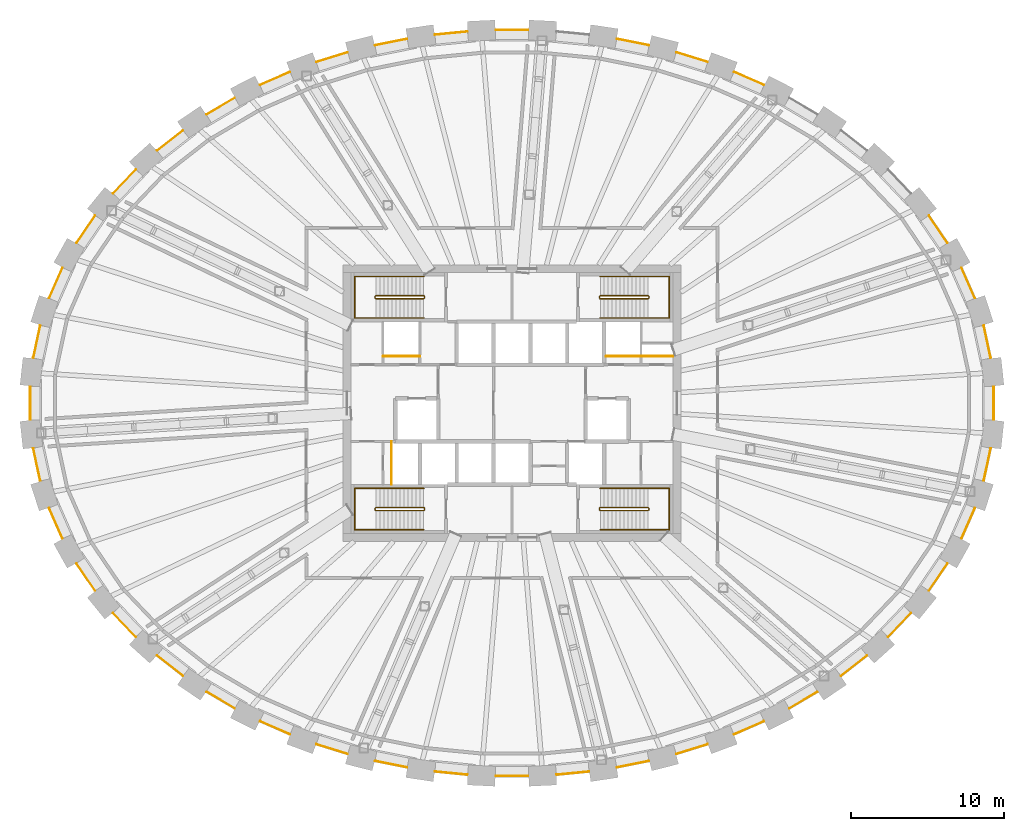
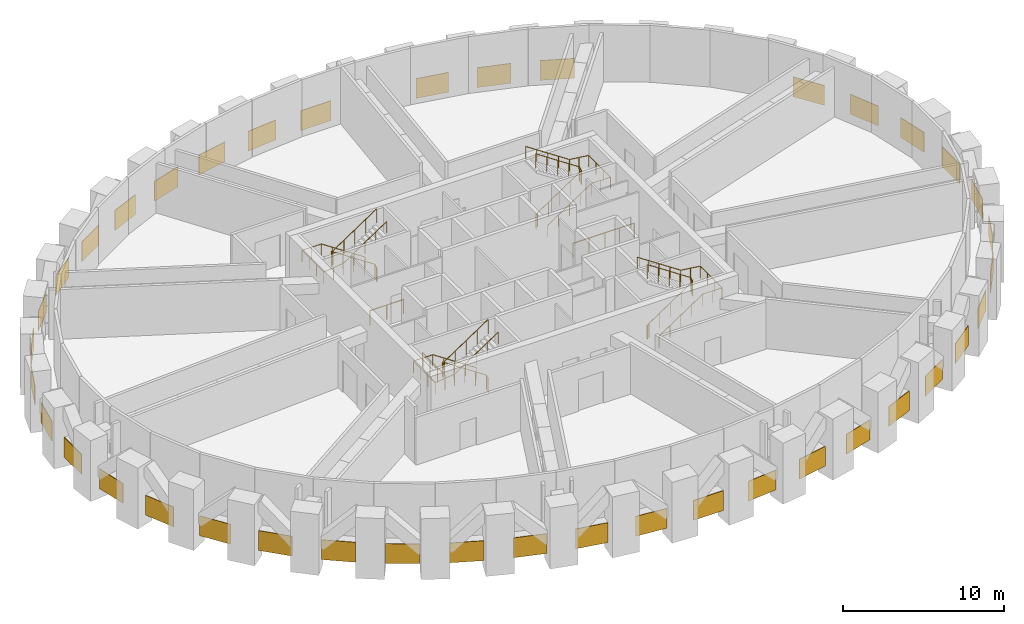
# One storey, part 11 of 12: 40 coverings, 12 railings.
"""IFC4 building model written with IfcOpenShell, lengths in metres."""

from ifc_helpers import new_model, si_unit, direction, frame, origin, origin_2d, place, context, subcontext, project, spatial, rectangle, circle, extrude, source, transform, mapped, material, layer, layer_set, type_object, element, save


model = new_model("IFC4")

# Units and contexts
model_context = context("Model", 3, precision=1e-05, world=origin(), true_north=direction((0.0, 1.0)))
body_context = subcontext(model_context, "Body", "Model", "MODEL_VIEW")
ifc_project = project(units=[si_unit("LENGTHUNIT", "METRE"), si_unit("AREAUNIT", "SQUARE_METRE"), si_unit("VOLUMEUNIT", "CUBIC_METRE"), si_unit("PLANEANGLEUNIT", "RADIAN"), si_unit("MASSUNIT", "GRAM", prefix="KILO")], contexts=[model_context])

# Site, building, storey
site_placement = place(None, origin())
site = spatial("IfcSite", under=ifc_project, at=site_placement, CompositionType="ELEMENT")
building_placement = place(site_placement, origin())
building = spatial("IfcBuilding", under=site, at=building_placement, Name="Embergate Tower", CompositionType="ELEMENT")
storey_placement = place(building_placement, frame((0.0, 0.0, 289.0)))
storey = spatial("IfcBuildingStorey", under=building, at=storey_placement, Name="L67", CompositionType="ELEMENT", Elevation=289.0)

# Coverings
ifc_material_1 = material(Name="Terracotta rainscreen on insulated backing", Category="masonry")
ifc_layer = layer(ifc_material_1, 0.0400390625)
ifc_layer_set = layer_set([ifc_layer], Name="Terracotta rainscreen on insulated backing")
covering_type = type_object("IfcCoveringType", Name="Terracotta rainscreen band", PredefinedType="CLADDING", material=ifc_layer_set)
shared_shape_1 = source(origin(), body_context, "Body", "SweptSolid", [
    extrude(rectangle(XDim=2.166748046875, YDim=0.0400390625, at=origin_2d()), origin(), (0.0, 0.0, 1.0), 1.5),
])
for number, where, z_axis, x_axis, name in (
    (1, (29.721435546875, 7.82958984375, -0.75), (0.0, 0.0, 1.0), (-0.401981337173, 0.915647860569, 0.0), "Rainscreen band 2"),
    (2, (-29.721435546875, 7.82958984375, -0.75), (0.0, 0.0, 1.0), (-0.401981337173, -0.915647860569, 0.0), "Rainscreen band 20"),
    (3, (-29.721435546875, -7.82958984375, -0.75), (0.0, 0.0, 1.0), (0.401981337173, -0.915647860569, 0.0), "Rainscreen band 24"),
    (4, (29.721435546875, -7.82958984375, -0.75), (0.0, 0.0, 1.0), (0.401981337173, 0.915647860569, 0.0), "Rainscreen band 42"),
):
    element("IfcCovering", number, at=place(storey_placement, frame(where, z_axis=z_axis, x_axis=x_axis)), inside=storey, type_object=covering_type, Name=name, PredefinedType="CLADDING", context=body_context, shape_type="MappedRepresentation", body=[
        mapped(shared_shape_1, transform((0.0, 0.0, 0.0))),
    ])
shared_shape_2 = source(origin(), body_context, "Body", "SweptSolid", [
    extrude(rectangle(XDim=2.157958984375, YDim=0.0400390625, at=origin_2d()), origin(), (0.0, 0.0, 1.0), 1.5),
])
for number, where, z_axis, x_axis, name in (
    (5, (27.7626953125, 11.3310546875, -0.75), (0.0, 0.0, 1.0), (-0.56258850772, 0.826737062784, 0.0), "Rainscreen band 3"),
    (6, (-27.7626953125, 11.3310546875, -0.75), (0.0, 0.0, 1.0), (-0.56258850772, -0.826737062784, 0.0), "Rainscreen band 19"),
    (7, (-27.7626953125, -11.3310546875, -0.75), (0.0, 0.0, 1.0), (0.56258850772, -0.826737062784, 0.0), "Rainscreen band 25"),
    (8, (27.7626953125, -11.3310546875, -0.75), (0.0, 0.0, 1.0), (0.56258850772, 0.826737062784, 0.0), "Rainscreen band 41"),
):
    element("IfcCovering", number, at=place(storey_placement, frame(where, z_axis=z_axis, x_axis=x_axis)), inside=storey, type_object=covering_type, Name=name, PredefinedType="CLADDING", context=body_context, shape_type="MappedRepresentation", body=[
        mapped(shared_shape_2, transform((0.0, 0.0, 0.0))),
    ])
shared_shape_3 = source(origin(), body_context, "Body", "SweptSolid", [
    extrude(rectangle(XDim=2.17041015625, YDim=0.0400390625, at=origin_2d()), origin(), (0.0, 0.0, 1.0), 1.5),
])
for number, where, z_axis, x_axis, name in (
    (9, (30.958984375, 4.003173828125, -0.75), (0.0, 0.0, 1.0), (-0.210094666511, 0.977681047737, 0.0), "Rainscreen band 1"),
    (10, (-30.958984375, 4.003173828125, -0.75), (0.0, 0.0, 1.0), (-0.210094666511, -0.977681047737, 0.0), "Rainscreen band 21"),
    (11, (-30.958984375, -4.003173828125, -0.75), (0.0, 0.0, 1.0), (0.210094666511, -0.977681047737, 0.0), "Rainscreen band 23"),
    (12, (30.958984375, -4.003173828125, -0.75), (0.0, 0.0, 1.0), (0.210094666511, 0.977681047737, 0.0), "Rainscreen band 43"),
):
    element("IfcCovering", number, at=place(storey_placement, frame(where, z_axis=z_axis, x_axis=x_axis)), inside=storey, type_object=covering_type, Name=name, PredefinedType="CLADDING", context=body_context, shape_type="MappedRepresentation", body=[
        mapped(shared_shape_3, transform((0.0, 0.0, 0.0))),
    ])
shared_shape_4 = source(origin(), body_context, "Body", "SweptSolid", [
    extrude(rectangle(XDim=2.153076171875, YDim=0.0400390625, at=origin_2d()), origin(), (0.0, 0.0, 1.0), 1.5),
])
for number, where, z_axis, x_axis, name in (
    (13, (-25.24853515625, 14.44384765625, -0.75), (0.0, 0.0, 1.0), (-0.690188094231, -0.723630012217, 0.0), "Rainscreen band 18"),
    (14, (-25.24853515625, -14.44384765625, -0.75), (0.0, 0.0, 1.0), (0.690188094231, -0.723630012217, 0.0), "Rainscreen band 26"),
    (15, (25.24853515625, -14.44384765625, -0.75), (0.0, 0.0, 1.0), (0.690188094231, 0.723630012217, 0.0), "Rainscreen band 40"),
):
    element("IfcCovering", number, at=place(storey_placement, frame(where, z_axis=z_axis, x_axis=x_axis)), inside=storey, type_object=covering_type, Name=name, PredefinedType="CLADDING", context=body_context, shape_type="MappedRepresentation", body=[
        mapped(shared_shape_4, transform((0.0, 0.0, 0.0))),
    ])
shared_shape_5 = source(origin(), body_context, "Body", "SweptSolid", [
    extrude(rectangle(XDim=2.145263671875, YDim=0.0400390625, at=origin_2d()), origin(), (0.0, 0.0, 1.0), 1.5),
])
for number, where, z_axis, x_axis, name in (
    (16, (-22.27734375, 17.107177734375, -0.75), (0.0, 0.0, 1.0), (-0.788271793999, -0.615327212778, 0.0), "Rainscreen band 17"),
    (17, (-22.27734375, -17.107177734375, -0.75), (0.0, 0.0, 1.0), (0.788271793999, -0.615327212778, 0.0), "Rainscreen band 27"),
    (18, (22.27734375, -17.107177734375, -0.75), (0.0, 0.0, 1.0), (0.788271793999, 0.615327212778, 0.0), "Rainscreen band 39"),
):
    element("IfcCovering", number, at=place(storey_placement, frame(where, z_axis=z_axis, x_axis=x_axis)), inside=storey, type_object=covering_type, Name=name, PredefinedType="CLADDING", context=body_context, shape_type="MappedRepresentation", body=[
        mapped(shared_shape_5, transform((0.0, 0.0, 0.0))),
    ])
shared_shape_6 = source(origin(), body_context, "Body", "SweptSolid", [
    extrude(rectangle(XDim=2.142578125, YDim=0.0400390625, at=origin_2d()), origin(), (0.0, 0.0, 1.0), 1.5),
])
for number, where, z_axis, x_axis, name in (
    (19, (-18.984619140625, 19.345703125, -0.75), (0.0, 0.0, 1.0), (-0.862030168259, -0.50685697096, 0.0), "Rainscreen band 16"),
    (20, (-18.984619140625, -19.345703125, -0.75), (0.0, 0.0, 1.0), (0.862030168259, -0.50685697096, 0.0), "Rainscreen band 28"),
    (21, (18.984619140625, -19.345703125, -0.75), (0.0, 0.0, 1.0), (0.862030168259, 0.50685697096, 0.0), "Rainscreen band 38"),
):
    element("IfcCovering", number, at=place(storey_placement, frame(where, z_axis=z_axis, x_axis=x_axis)), inside=storey, type_object=covering_type, Name=name, PredefinedType="CLADDING", context=body_context, shape_type="MappedRepresentation", body=[
        mapped(shared_shape_6, transform((0.0, 0.0, 0.0))),
    ])
shared_shape_7 = source(origin(), body_context, "Body", "SweptSolid", [
    extrude(rectangle(XDim=2.13916015625, YDim=0.0400390625, at=origin_2d()), origin(), (0.0, 0.0, 1.0), 1.5),
])
for number, where, z_axis, x_axis, name in (
    (22, (15.444091796875, 21.152587890625, -0.75), (0.0, 0.0, 1.0), (-0.916243204062, 0.400622504372, 0.0), "Rainscreen band 7"),
    (23, (-15.444091796875, 21.152587890625, -0.75), (0.0, 0.0, 1.0), (-0.916243204062, -0.400622504372, 0.0), "Rainscreen band 15"),
    (24, (-15.444091796875, -21.152587890625, -0.75), (0.0, 0.0, 1.0), (0.916243204062, -0.400622504372, 0.0), "Rainscreen band 29"),
    (25, (15.444091796875, -21.152587890625, -0.75), (0.0, 0.0, 1.0), (0.916243204062, 0.400622504372, 0.0), "Rainscreen band 37"),
):
    element("IfcCovering", number, at=place(storey_placement, frame(where, z_axis=z_axis, x_axis=x_axis)), inside=storey, type_object=covering_type, Name=name, PredefinedType="CLADDING", context=body_context, shape_type="MappedRepresentation", body=[
        mapped(shared_shape_7, transform((0.0, 0.0, 0.0))),
    ])
shared_shape_8 = source(origin(), body_context, "Body", "SweptSolid", [
    extrude(rectangle(XDim=2.137451171875, YDim=0.0400390625, at=origin_2d()), origin(), (0.0, 0.0, 1.0), 1.5),
])
for number, where, z_axis, x_axis, name in (
    (26, (11.724609375, 22.541015625, -0.75), (0.0, 0.0, 1.0), (-0.954853656963, 0.297076578991, 0.0), "Rainscreen band 8"),
    (27, (-11.724609375, 22.541015625, -0.75), (0.0, 0.0, 1.0), (-0.954853656963, -0.297076578991, 0.0), "Rainscreen band 14"),
    (28, (-11.724609375, -22.541015625, -0.75), (0.0, 0.0, 1.0), (0.954853656963, -0.297076578991, 0.0), "Rainscreen band 30"),
    (29, (11.724609375, -22.541015625, -0.75), (0.0, 0.0, 1.0), (0.954853656963, 0.297076578991, 0.0), "Rainscreen band 36"),
):
    element("IfcCovering", number, at=place(storey_placement, frame(where, z_axis=z_axis, x_axis=x_axis)), inside=storey, type_object=covering_type, Name=name, PredefinedType="CLADDING", context=body_context, shape_type="MappedRepresentation", body=[
        mapped(shared_shape_8, transform((0.0, 0.0, 0.0))),
    ])
shared_shape_9 = source(origin(), body_context, "Body", "SweptSolid", [
    extrude(rectangle(XDim=2.13671875, YDim=0.0400390625, at=origin_2d()), origin(), (0.0, 0.0, 1.0), 1.5),
])
for number, where, z_axis, x_axis, name in (
    (30, (7.88037109375, 23.521728515625, -0.75), (0.0, 0.0, 1.0), (-0.980490662258, 0.196565666444, 0.0), "Rainscreen band 9"),
    (31, (-7.88037109375, 23.521728515625, -0.75), (0.0, 0.0, 1.0), (-0.980490662258, -0.196565666444, 0.0), "Rainscreen band 13"),
    (32, (-7.88037109375, -23.521728515625, -0.75), (0.0, 0.0, 1.0), (0.980490662258, -0.196565666444, 0.0), "Rainscreen band 31"),
    (33, (7.88037109375, -23.521728515625, -0.75), (0.0, 0.0, 1.0), (0.980490662258, 0.196565666444, 0.0), "Rainscreen band 35"),
):
    element("IfcCovering", number, at=place(storey_placement, frame(where, z_axis=z_axis, x_axis=x_axis)), inside=storey, type_object=covering_type, Name=name, PredefinedType="CLADDING", context=body_context, shape_type="MappedRepresentation", body=[
        mapped(shared_shape_9, transform((0.0, 0.0, 0.0))),
    ])
shared_shape_10 = source(origin(), body_context, "Body", "SweptSolid", [
    extrude(rectangle(XDim=2.13427734375, YDim=0.0400390625, at=origin_2d()), origin(), (0.0, 0.0, 1.0), 1.5),
])
for number, where, z_axis, x_axis, name in (
    (34, (-3.959228515625, 24.10693359375, -0.75), (0.0, 0.0, 1.0), (-0.995193618327, -0.097926819825, 0.0), "Rainscreen band 12"),
    (35, (-3.959228515625, -24.10693359375, -0.75), (0.0, 0.0, 1.0), (0.995193618327, -0.097926819825, 0.0), "Rainscreen band 32"),
    (36, (3.959228515625, -24.10693359375, -0.75), (0.0, 0.0, 1.0), (0.995193618327, 0.097926819825, 0.0), "Rainscreen band 34"),
):
    element("IfcCovering", number, at=place(storey_placement, frame(where, z_axis=z_axis, x_axis=x_axis)), inside=storey, type_object=covering_type, Name=name, PredefinedType="CLADDING", context=body_context, shape_type="MappedRepresentation", body=[
        mapped(shared_shape_10, transform((0.0, 0.0, 0.0))),
    ])
shared_shape_11 = source(origin(), body_context, "Body", "SweptSolid", [
    extrude(rectangle(XDim=2.135986328125, YDim=0.0400390625, at=origin_2d()), origin(), (0.0, 0.0, 1.0), 1.5),
])
for number, where, z_axis, x_axis, name in (
    (37, (0.0, 24.301025390625, -0.75), (0.0, 0.0, 1.0), (-1.0, 0.0, 0.0), "Rainscreen band 11"),
    (38, (0.0, -24.301025390625, -0.75), (0.0, 0.0, 1.0), (1.0, 0.0, 0.0), "Rainscreen band 33"),
):
    element("IfcCovering", number, at=place(storey_placement, frame(where, z_axis=z_axis, x_axis=x_axis)), inside=storey, type_object=covering_type, Name=name, PredefinedType="CLADDING", context=body_context, shape_type="MappedRepresentation", body=[
        mapped(shared_shape_11, transform((0.0, 0.0, 0.0))),
    ])
shared_shape_12 = source(origin(), body_context, "Body", "SweptSolid", [
    extrude(rectangle(XDim=2.169921875, YDim=0.0400390625, at=origin_2d()), origin(), (0.0, 0.0, 1.0), 1.5),
])
for number, where, z_axis, x_axis, name in (
    (39, (-31.385009765625, 0.0, -0.75), (0.0, 0.0, 1.0), (0.0, -1.0, 0.0), "Rainscreen band 22"),
    (40, (31.385009765625, 0.0, -0.75), (0.0, 0.0, 1.0), (0.0, 1.0, 0.0), "Rainscreen band 44"),
):
    element("IfcCovering", number, at=place(storey_placement, frame(where, z_axis=z_axis, x_axis=x_axis)), inside=storey, type_object=covering_type, Name=name, PredefinedType="CLADDING", context=body_context, shape_type="MappedRepresentation", body=[
        mapped(shared_shape_12, transform((0.0, 0.0, 0.0))),
    ])

# Railings
ifc_material_2 = material(Name="Stair guard 1100")
railing_type_1 = type_object("IfcRailingType", Name="Stair guard 1100", PredefinedType="GUARDRAIL", material=ifc_material_2)
shared_shape_13 = source(origin(), body_context, "Body", "SweptSolid", [
    extrude(circle(Radius=0.02392578125, at=origin_2d()), frame((0.0, 0.0, 1.076171875), z_axis=(0.0, 1.0, 0.0), x_axis=(-1.0, 0.0, 0.0)), (0.0, 0.0, 1.0), 0.099853515625),
    extrude(circle(Radius=0.02392578125, at=origin_2d()), frame((0.0, 0.099853515625, 1.076171875), z_axis=(-0.267629722418, 0.267629722418, 0.925607186314), x_axis=(-0.707106781187, -0.707106781187, 0.0)), (0.0, 0.0, 1.0), 0.18701171875),
    extrude(circle(Radius=0.02392578125, at=origin_2d()), frame((-0.050048828125, 0.14990234375, 1.2490234375), z_axis=(-0.83244090515, 0.0, 0.554113832559), x_axis=(0.0, -1.0, 0.0)), (0.0, 0.0, 1.0), 3.748046875),
    extrude(circle(Radius=0.02392578125, at=origin_2d()), frame((-3.170166015625, 0.14990234375, 3.326171875), z_axis=(-0.705375805398, -0.708833529934, 0.0), x_axis=(0.708833529934, -0.705375805398, 0.0)), (0.0, 0.0, 1.0), 0.070556640625),
    extrude(circle(Radius=0.02392578125, at=origin_2d()), frame((-3.219970703125, 0.099853515625, 3.326171875), z_axis=(0.0, -1.0, 0.0), x_axis=(1.0, 0.0, 0.0)), (0.0, 0.0, 1.0), 0.099853515625),
    extrude(circle(Radius=0.02392578125, at=origin_2d()), frame((-3.219970703125, 0.0, 3.326171875), z_axis=(0.266417085129, -0.267723051232, 0.925929967433), x_axis=(0.708833529934, 0.705375805398, 0.0)), (0.0, 0.0, 1.0), 0.18701171875),
    extrude(circle(Radius=0.02392578125, at=origin_2d()), frame((-3.170166015625, -0.050048828125, 3.4990234375), z_axis=(0.83244090515, 0.0, 0.554113832559), x_axis=(0.0, 1.0, 0.0)), (0.0, 0.0, 1.0), 3.748046875),
    extrude(circle(Radius=0.02099609375, at=origin_2d()), origin(), (0.0, 0.0, 1.0), 1.052001953125),
    extrude(circle(Radius=0.02099609375, at=origin_2d()), frame((0.0, 0.099853515625, 0.0)), (0.0, 0.0, 1.0), 1.052001953125),
    extrude(circle(Radius=0.02099609375, at=origin_2d()), frame((-0.050048828125, 0.14990234375, 0.173095703125)), (0.0, 0.0, 1.0), 1.052001953125),
    extrude(circle(Radius=0.02099609375, at=origin_2d()), frame((-0.830078125, 0.14990234375, 0.6923828125)), (0.0, 0.0, 1.0), 1.052001953125),
    extrude(circle(Radius=0.02099609375, at=origin_2d()), frame((-1.610107421875, 0.14990234375, 1.21142578125)), (0.0, 0.0, 1.0), 1.052001953125),
    extrude(circle(Radius=0.02099609375, at=origin_2d()), frame((-2.39013671875, 0.14990234375, 1.730712890625)), (0.0, 0.0, 1.0), 1.052001953125),
    extrude(circle(Radius=0.02099609375, at=origin_2d()), frame((-3.170166015625, 0.14990234375, 2.25)), (0.0, 0.0, 1.0), 1.052001953125),
    extrude(circle(Radius=0.02099609375, at=origin_2d()), frame((-3.219970703125, 0.099853515625, 2.25)), (0.0, 0.0, 1.0), 1.052001953125),
    extrude(circle(Radius=0.02099609375, at=origin_2d()), frame((-3.219970703125, 0.0, 2.25)), (0.0, 0.0, 1.0), 1.052001953125),
    extrude(circle(Radius=0.02099609375, at=origin_2d()), frame((-3.170166015625, -0.050048828125, 2.423095703125)), (0.0, 0.0, 1.0), 1.052001953125),
    extrude(circle(Radius=0.02099609375, at=origin_2d()), frame((-2.39013671875, -0.050048828125, 2.9423828125)), (0.0, 0.0, 1.0), 1.052001953125),
    extrude(circle(Radius=0.02099609375, at=origin_2d()), frame((-1.610107421875, -0.050048828125, 3.46142578125)), (0.0, 0.0, 1.0), 1.052001953125),
    extrude(circle(Radius=0.02099609375, at=origin_2d()), frame((-0.830078125, -0.050048828125, 3.980712890625)), (0.0, 0.0, 1.0), 1.052001953125),
    extrude(circle(Radius=0.02099609375, at=origin_2d()), frame((-0.050048828125, -0.050048828125, 4.5)), (0.0, 0.0, 1.0), 1.052001953125),
])
for number, where, name in (
    (41, (-5.699951171875, 6.85009765625, 0.0), "L67 ST1 stair guard 1"),
    (42, (-5.699951171875, -6.949951171875, 0.0), "L67 ST3 stair guard 1"),
):
    element("IfcRailing", number, at=place(storey_placement, frame(where)), inside=storey, type_object=railing_type_1, Name=name, PredefinedType="GUARDRAIL", context=body_context, shape_type="MappedRepresentation", body=[
        mapped(shared_shape_13, transform((0.0, 0.0, 0.0))),
    ])
ifc_material_3 = material(Name="Stair handrail 900")
railing_type_2 = type_object("IfcRailingType", Name="Stair handrail 900", PredefinedType="HANDRAIL", material=ifc_material_3)
shared_shape_14 = source(origin(), body_context, "Body", "SweptSolid", [
    extrude(circle(Radius=0.02392578125, at=origin_2d()), frame((0.0, 0.0, 0.8759765625), z_axis=(-0.83244090515, 0.0, 0.554113832559), x_axis=(0.0, -1.0, 0.0)), (0.0, 0.0, 1.0), 3.748046875),
    extrude(circle(Radius=0.02392578125, at=origin_2d()), frame((-3.1201171875, 0.0, 2.95263671875), z_axis=(-1.0, 0.0, 0.0), x_axis=(0.0, -1.0, 0.0)), (0.0, 0.0, 1.0), 1.3798828125),
    extrude(circle(Radius=0.02392578125, at=origin_2d()), frame((-4.5, 0.0, 2.95263671875), z_axis=(0.0, -1.0, 0.0), x_axis=(1.0, 0.0, 0.0)), (0.0, 0.0, 1.0), 2.699951171875),
    extrude(circle(Radius=0.02392578125, at=origin_2d()), frame((-4.5, -2.699951171875, 2.95263671875), z_axis=(0.992223766409, 0.0, 0.12446685251), x_axis=(0.0, 1.0, 0.0)), (0.0, 0.0, 1.0), 1.390625),
    extrude(circle(Radius=0.02392578125, at=origin_2d()), frame((-3.1201171875, -2.699951171875, 3.1259765625), z_axis=(0.83244090515, 0.0, 0.554113832559), x_axis=(0.0, 1.0, 0.0)), (0.0, 0.0, 1.0), 3.748046875),
    extrude(circle(Radius=0.02099609375, at=origin_2d()), origin(), (0.0, 0.0, 1.0), 0.851806640625),
    extrude(circle(Radius=0.02099609375, at=origin_2d()), frame((-0.780029296875, 0.0, 0.519287109375)), (0.0, 0.0, 1.0), 0.851806640625),
    extrude(circle(Radius=0.02099609375, at=origin_2d()), frame((-1.56005859375, 0.0, 1.03857421875)), (0.0, 0.0, 1.0), 0.851806640625),
    extrude(circle(Radius=0.02099609375, at=origin_2d()), frame((-2.340087890625, 0.0, 1.5576171875)), (0.0, 0.0, 1.0), 0.851806640625),
    extrude(circle(Radius=0.02099609375, at=origin_2d()), frame((-3.1201171875, 0.0, 2.076904296875)), (0.0, 0.0, 1.0), 0.851806640625),
    extrude(circle(Radius=0.02099609375, at=origin_2d()), frame((-3.81005859375, 0.0, 2.076904296875)), (0.0, 0.0, 1.0), 0.851806640625),
    extrude(circle(Radius=0.02099609375, at=origin_2d()), frame((-4.5, 0.0, 2.076904296875)), (0.0, 0.0, 1.0), 0.851806640625),
    extrude(circle(Radius=0.02099609375, at=origin_2d()), frame((-4.5, -0.89990234375, 2.076904296875)), (0.0, 0.0, 1.0), 0.851806640625),
    extrude(circle(Radius=0.02099609375, at=origin_2d()), frame((-4.5, -1.800048828125, 2.076904296875)), (0.0, 0.0, 1.0), 0.851806640625),
    extrude(circle(Radius=0.02099609375, at=origin_2d()), frame((-4.5, -2.699951171875, 2.076904296875)), (0.0, 0.0, 1.0), 0.851806640625),
    extrude(circle(Radius=0.02099609375, at=origin_2d()), frame((-3.81005859375, -2.699951171875, 2.16357421875)), (0.0, 0.0, 1.0), 0.851806640625),
    extrude(circle(Radius=0.02099609375, at=origin_2d()), frame((-3.1201171875, -2.699951171875, 2.25)), (0.0, 0.0, 1.0), 0.851806640625),
    extrude(circle(Radius=0.02099609375, at=origin_2d()), frame((-2.340087890625, -2.699951171875, 2.769287109375)), (0.0, 0.0, 1.0), 0.851806640625),
    extrude(circle(Radius=0.02099609375, at=origin_2d()), frame((-1.56005859375, -2.699951171875, 3.28857421875)), (0.0, 0.0, 1.0), 0.851806640625),
    extrude(circle(Radius=0.02099609375, at=origin_2d()), frame((-0.780029296875, -2.699951171875, 3.8076171875)), (0.0, 0.0, 1.0), 0.851806640625),
    extrude(circle(Radius=0.02099609375, at=origin_2d()), frame((0.0, -2.699951171875, 4.326904296875)), (0.0, 0.0, 1.0), 0.851806640625),
])
for number, where, name in (
    (43, (-5.75, 8.25, 0.173095703125), "L67 ST1 stair handrail 1"),
    (44, (-5.75, -5.550048828125, 0.173095703125), "L67 ST3 stair handrail 1"),
):
    element("IfcRailing", number, at=place(storey_placement, frame(where)), inside=storey, type_object=railing_type_2, Name=name, PredefinedType="HANDRAIL", context=body_context, shape_type="MappedRepresentation", body=[
        mapped(shared_shape_14, transform((0.0, 0.0, 0.0))),
    ])
shared_shape_15 = source(origin(), body_context, "Body", "SweptSolid", [
    extrude(circle(Radius=0.02392578125, at=origin_2d()), frame((0.0, 0.0, 1.076171875), z_axis=(0.0, -1.0, 0.0), x_axis=(1.0, 0.0, 0.0)), (0.0, 0.0, 1.0), 0.099853515625),
    extrude(circle(Radius=0.02392578125, at=origin_2d()), frame((0.0, -0.099853515625, 1.076171875), z_axis=(0.267629722418, -0.267629722418, 0.925607186314), x_axis=(0.707106781187, 0.707106781187, 0.0)), (0.0, 0.0, 1.0), 0.18701171875),
    extrude(circle(Radius=0.02392578125, at=origin_2d()), frame((0.050048828125, -0.14990234375, 1.2490234375), z_axis=(0.83244090515, 0.0, 0.554113832559), x_axis=(0.0, 1.0, 0.0)), (0.0, 0.0, 1.0), 3.748046875),
    extrude(circle(Radius=0.02392578125, at=origin_2d()), frame((3.170166015625, -0.14990234375, 3.326171875), z_axis=(0.705375805398, 0.708833529934, 0.0), x_axis=(-0.708833529934, 0.705375805398, 0.0)), (0.0, 0.0, 1.0), 0.070556640625),
    extrude(circle(Radius=0.02392578125, at=origin_2d()), frame((3.219970703125, -0.099853515625, 3.326171875), z_axis=(0.0, 1.0, 0.0), x_axis=(-1.0, 0.0, 0.0)), (0.0, 0.0, 1.0), 0.099853515625),
    extrude(circle(Radius=0.02392578125, at=origin_2d()), frame((3.219970703125, 0.0, 3.326171875), z_axis=(-0.266417085129, 0.267723051232, 0.925929967433), x_axis=(-0.708833529934, -0.705375805398, 0.0)), (0.0, 0.0, 1.0), 0.18701171875),
    extrude(circle(Radius=0.02392578125, at=origin_2d()), frame((3.170166015625, 0.050048828125, 3.4990234375), z_axis=(-0.83244090515, 0.0, 0.554113832559), x_axis=(0.0, -1.0, 0.0)), (0.0, 0.0, 1.0), 3.748046875),
    extrude(circle(Radius=0.02099609375, at=origin_2d()), origin(), (0.0, 0.0, 1.0), 1.052001953125),
    extrude(circle(Radius=0.02099609375, at=origin_2d()), frame((0.0, -0.099853515625, 0.0)), (0.0, 0.0, 1.0), 1.052001953125),
    extrude(circle(Radius=0.02099609375, at=origin_2d()), frame((0.050048828125, -0.14990234375, 0.173095703125)), (0.0, 0.0, 1.0), 1.052001953125),
    extrude(circle(Radius=0.02099609375, at=origin_2d()), frame((0.830078125, -0.14990234375, 0.6923828125)), (0.0, 0.0, 1.0), 1.052001953125),
    extrude(circle(Radius=0.02099609375, at=origin_2d()), frame((1.610107421875, -0.14990234375, 1.21142578125)), (0.0, 0.0, 1.0), 1.052001953125),
    extrude(circle(Radius=0.02099609375, at=origin_2d()), frame((2.39013671875, -0.14990234375, 1.730712890625)), (0.0, 0.0, 1.0), 1.052001953125),
    extrude(circle(Radius=0.02099609375, at=origin_2d()), frame((3.170166015625, -0.14990234375, 2.25)), (0.0, 0.0, 1.0), 1.052001953125),
    extrude(circle(Radius=0.02099609375, at=origin_2d()), frame((3.219970703125, -0.099853515625, 2.25)), (0.0, 0.0, 1.0), 1.052001953125),
    extrude(circle(Radius=0.02099609375, at=origin_2d()), frame((3.219970703125, 0.0, 2.25)), (0.0, 0.0, 1.0), 1.052001953125),
    extrude(circle(Radius=0.02099609375, at=origin_2d()), frame((3.170166015625, 0.050048828125, 2.423095703125)), (0.0, 0.0, 1.0), 1.052001953125),
    extrude(circle(Radius=0.02099609375, at=origin_2d()), frame((2.39013671875, 0.050048828125, 2.9423828125)), (0.0, 0.0, 1.0), 1.052001953125),
    extrude(circle(Radius=0.02099609375, at=origin_2d()), frame((1.610107421875, 0.050048828125, 3.46142578125)), (0.0, 0.0, 1.0), 1.052001953125),
    extrude(circle(Radius=0.02099609375, at=origin_2d()), frame((0.830078125, 0.050048828125, 3.980712890625)), (0.0, 0.0, 1.0), 1.052001953125),
    extrude(circle(Radius=0.02099609375, at=origin_2d()), frame((0.050048828125, 0.050048828125, 4.5)), (0.0, 0.0, 1.0), 1.052001953125),
])
for number, where, name in (
    (45, (5.699951171875, 6.949951171875, 0.0), "L67 ST2 stair guard 1"),
    (46, (5.699951171875, -6.85009765625, 0.0), "L67 ST4 stair guard 1"),
):
    element("IfcRailing", number, at=place(storey_placement, frame(where)), inside=storey, type_object=railing_type_1, Name=name, PredefinedType="GUARDRAIL", context=body_context, shape_type="MappedRepresentation", body=[
        mapped(shared_shape_15, transform((0.0, 0.0, 0.0))),
    ])
shared_shape_16 = source(origin(), body_context, "Body", "SweptSolid", [
    extrude(circle(Radius=0.02392578125, at=origin_2d()), frame((0.0, 0.0, 0.8759765625), z_axis=(0.83244090515, 0.0, 0.554113832559), x_axis=(0.0, 1.0, 0.0)), (0.0, 0.0, 1.0), 3.748046875),
    extrude(circle(Radius=0.02392578125, at=origin_2d()), frame((3.1201171875, 0.0, 2.95263671875), z_axis=(1.0, 0.0, 0.0), x_axis=(0.0, 1.0, 0.0)), (0.0, 0.0, 1.0), 1.3798828125),
    extrude(circle(Radius=0.02392578125, at=origin_2d()), frame((4.5, 0.0, 2.95263671875), z_axis=(0.0, 1.0, 0.0), x_axis=(-1.0, 0.0, 0.0)), (0.0, 0.0, 1.0), 2.699951171875),
    extrude(circle(Radius=0.02392578125, at=origin_2d()), frame((4.5, 2.699951171875, 2.95263671875), z_axis=(-0.992223766409, 0.0, 0.12446685251), x_axis=(0.0, -1.0, 0.0)), (0.0, 0.0, 1.0), 1.390625),
    extrude(circle(Radius=0.02392578125, at=origin_2d()), frame((3.1201171875, 2.699951171875, 3.1259765625), z_axis=(-0.83244090515, 0.0, 0.554113832559), x_axis=(0.0, -1.0, 0.0)), (0.0, 0.0, 1.0), 3.748046875),
    extrude(circle(Radius=0.02099609375, at=origin_2d()), origin(), (0.0, 0.0, 1.0), 0.851806640625),
    extrude(circle(Radius=0.02099609375, at=origin_2d()), frame((0.780029296875, 0.0, 0.519287109375)), (0.0, 0.0, 1.0), 0.851806640625),
    extrude(circle(Radius=0.02099609375, at=origin_2d()), frame((1.56005859375, 0.0, 1.03857421875)), (0.0, 0.0, 1.0), 0.851806640625),
    extrude(circle(Radius=0.02099609375, at=origin_2d()), frame((2.340087890625, 0.0, 1.5576171875)), (0.0, 0.0, 1.0), 0.851806640625),
    extrude(circle(Radius=0.02099609375, at=origin_2d()), frame((3.1201171875, 0.0, 2.076904296875)), (0.0, 0.0, 1.0), 0.851806640625),
    extrude(circle(Radius=0.02099609375, at=origin_2d()), frame((3.81005859375, 0.0, 2.076904296875)), (0.0, 0.0, 1.0), 0.851806640625),
    extrude(circle(Radius=0.02099609375, at=origin_2d()), frame((4.5, 0.0, 2.076904296875)), (0.0, 0.0, 1.0), 0.851806640625),
    extrude(circle(Radius=0.02099609375, at=origin_2d()), frame((4.5, 0.89990234375, 2.076904296875)), (0.0, 0.0, 1.0), 0.851806640625),
    extrude(circle(Radius=0.02099609375, at=origin_2d()), frame((4.5, 1.800048828125, 2.076904296875)), (0.0, 0.0, 1.0), 0.851806640625),
    extrude(circle(Radius=0.02099609375, at=origin_2d()), frame((4.5, 2.699951171875, 2.076904296875)), (0.0, 0.0, 1.0), 0.851806640625),
    extrude(circle(Radius=0.02099609375, at=origin_2d()), frame((3.81005859375, 2.699951171875, 2.16357421875)), (0.0, 0.0, 1.0), 0.851806640625),
    extrude(circle(Radius=0.02099609375, at=origin_2d()), frame((3.1201171875, 2.699951171875, 2.25)), (0.0, 0.0, 1.0), 0.851806640625),
    extrude(circle(Radius=0.02099609375, at=origin_2d()), frame((2.340087890625, 2.699951171875, 2.769287109375)), (0.0, 0.0, 1.0), 0.851806640625),
    extrude(circle(Radius=0.02099609375, at=origin_2d()), frame((1.56005859375, 2.699951171875, 3.28857421875)), (0.0, 0.0, 1.0), 0.851806640625),
    extrude(circle(Radius=0.02099609375, at=origin_2d()), frame((0.780029296875, 2.699951171875, 3.8076171875)), (0.0, 0.0, 1.0), 0.851806640625),
    extrude(circle(Radius=0.02099609375, at=origin_2d()), frame((0.0, 2.699951171875, 4.326904296875)), (0.0, 0.0, 1.0), 0.851806640625),
])
for number, where, name in (
    (47, (5.75, 5.550048828125, 0.173095703125), "L67 ST2 stair handrail 1"),
    (48, (5.75, -8.25, 0.173095703125), "L67 ST4 stair handrail 1"),
):
    element("IfcRailing", number, at=place(storey_placement, frame(where)), inside=storey, type_object=railing_type_2, Name=name, PredefinedType="HANDRAIL", context=body_context, shape_type="MappedRepresentation", body=[
        mapped(shared_shape_16, transform((0.0, 0.0, 0.0))),
    ])
ifc_material_4 = material(Name="Opening guard 1100")
railing_type_3 = type_object("IfcRailingType", Name="Opening guard 1100", PredefinedType="GUARDRAIL", material=ifc_material_4)
shared_shape_17 = source(origin(), body_context, "Body", "SweptSolid", [
    extrude(circle(Radius=0.02392578125, at=origin_2d()), frame((0.0, 0.0, 1.076171875), z_axis=(1.0, 0.0, 0.0), x_axis=(0.0, 1.0, 0.0)), (0.0, 0.0, 1.0), 2.27490234375),
    extrude(circle(Radius=0.02099609375, at=origin_2d()), origin(), (0.0, 0.0, 1.0), 1.052001953125),
    extrude(circle(Radius=0.02099609375, at=origin_2d()), frame((1.137451171875, 0.0, 0.0)), (0.0, 0.0, 1.0), 1.052001953125),
    extrude(circle(Radius=0.02099609375, at=origin_2d()), frame((2.27490234375, 0.0, 0.0)), (0.0, 0.0, 1.0), 1.052001953125),
])
railing_1_placement = place(storey_placement, frame((6.125, 3.050048828125, 0.0)))
element("IfcRailing", 49, at=railing_1_placement, inside=storey, type_object=railing_type_3, Name="Riser opening guard", PredefinedType="GUARDRAIL", context=body_context, shape_type="MappedRepresentation", body=[
    mapped(shared_shape_17, transform((0.0, 0.0, 0.0))),
])
shared_shape_18 = source(origin(), body_context, "Body", "SweptSolid", [
    extrude(circle(Radius=0.02392578125, at=origin_2d()), frame((0.0, 0.0, 1.076171875), z_axis=(0.0, 1.0, 0.0), x_axis=(-1.0, 0.0, 0.0)), (0.0, 0.0, 1.0), 2.800048828125),
    extrude(circle(Radius=0.02099609375, at=origin_2d()), origin(), (0.0, 0.0, 1.0), 1.052001953125),
    extrude(circle(Radius=0.02099609375, at=origin_2d()), frame((0.0, 0.933349609375, 0.0)), (0.0, 0.0, 1.0), 1.052001953125),
    extrude(circle(Radius=0.02099609375, at=origin_2d()), frame((0.0, 1.86669921875, 0.0)), (0.0, 0.0, 1.0), 1.052001953125),
    extrude(circle(Radius=0.02099609375, at=origin_2d()), frame((0.0, 2.800048828125, 0.0)), (0.0, 0.0, 1.0), 1.052001953125),
])
railing_2_placement = place(storey_placement, frame((-7.85009765625, -5.300048828125, 0.0)))
element("IfcRailing", 50, at=railing_2_placement, inside=storey, type_object=railing_type_3, Name="Riser opening guard", PredefinedType="GUARDRAIL", context=body_context, shape_type="MappedRepresentation", body=[
    mapped(shared_shape_18, transform((0.0, 0.0, 0.0))),
])
shared_shape_19 = source(origin(), body_context, "Body", "SweptSolid", [
    extrude(circle(Radius=0.02392578125, at=origin_2d()), frame((0.0, 0.0, 1.076171875), z_axis=(1.0, 0.0, 0.0), x_axis=(0.0, 1.0, 0.0)), (0.0, 0.0, 1.0), 2.39990234375),
    extrude(circle(Radius=0.02099609375, at=origin_2d()), origin(), (0.0, 0.0, 1.0), 1.052001953125),
    extrude(circle(Radius=0.02099609375, at=origin_2d()), frame((1.199951171875, 0.0, 0.0)), (0.0, 0.0, 1.0), 1.052001953125),
    extrude(circle(Radius=0.02099609375, at=origin_2d()), frame((2.39990234375, 0.0, 0.0)), (0.0, 0.0, 1.0), 1.052001953125),
])
railing_3_placement = place(storey_placement, frame((-8.39990234375, 3.050048828125, 0.0)))
element("IfcRailing", 51, at=railing_3_placement, inside=storey, type_object=railing_type_3, Name="Riser opening guard", PredefinedType="GUARDRAIL", context=body_context, shape_type="MappedRepresentation", body=[
    mapped(shared_shape_19, transform((0.0, 0.0, 0.0))),
])
shared_shape_20 = source(origin(), body_context, "Body", "SweptSolid", [
    extrude(circle(Radius=0.02392578125, at=origin_2d()), frame((0.0, 0.0, 1.076171875), z_axis=(1.0, 0.0, 0.0), x_axis=(0.0, 1.0, 0.0)), (0.0, 0.0, 1.0), 2.10009765625),
    extrude(circle(Radius=0.02099609375, at=origin_2d()), origin(), (0.0, 0.0, 1.0), 1.052001953125),
    extrude(circle(Radius=0.02099609375, at=origin_2d()), frame((1.050048828125, 0.0, 0.0)), (0.0, 0.0, 1.0), 1.052001953125),
    extrude(circle(Radius=0.02099609375, at=origin_2d()), frame((2.10009765625, 0.0, 0.0)), (0.0, 0.0, 1.0), 1.052001953125),
])
railing_4_placement = place(storey_placement, frame((8.39990234375, 3.050048828125, 0.0)))
element("IfcRailing", 52, at=railing_4_placement, inside=storey, type_object=railing_type_3, Name="Riser opening guard", PredefinedType="GUARDRAIL", context=body_context, shape_type="MappedRepresentation", body=[
    mapped(shared_shape_20, transform((0.0, 0.0, 0.0))),
])

save(model, "model.ifc")
